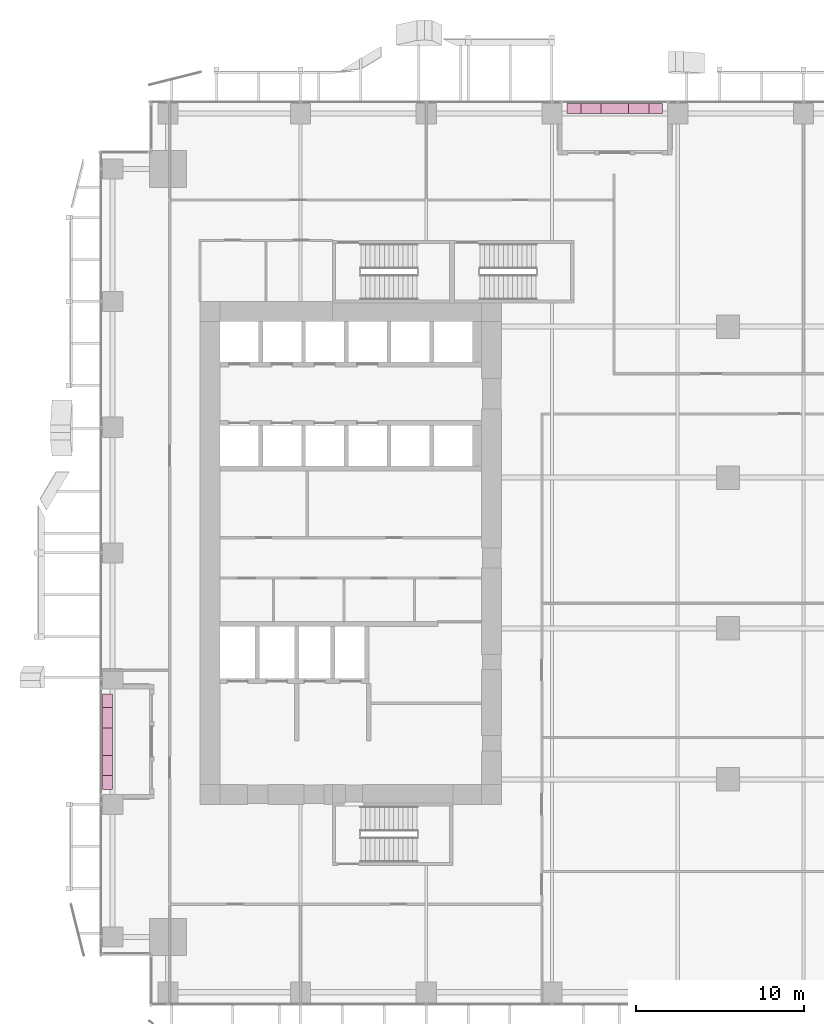
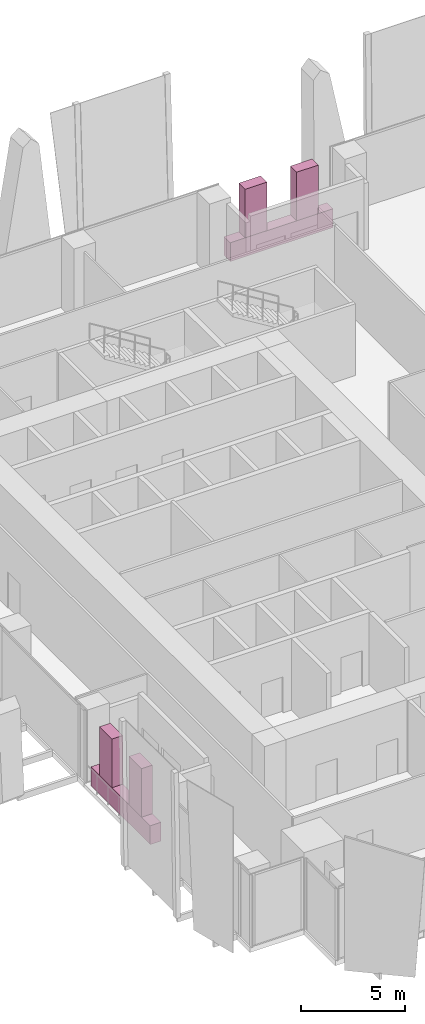
# One storey, part 35 of 35: 6 furnishings.
"""IFC4 building model written with IfcOpenShell, lengths in metres."""

from ifc_helpers import new_model, si_unit, direction, frame, origin, origin_2d, place, context, subcontext, project, spatial, rectangle, extrude, source, transform, mapped, material, type_object, element, save


model = new_model("IFC4")

# Units and contexts
model_context = context("Model", 3, precision=1e-05, world=origin(), true_north=direction((0.0, 1.0)))
body_context = subcontext(model_context, "Body", "Model", "MODEL_VIEW")
ifc_project = project(units=[si_unit("LENGTHUNIT", "METRE"), si_unit("AREAUNIT", "SQUARE_METRE"), si_unit("VOLUMEUNIT", "CUBIC_METRE"), si_unit("PLANEANGLEUNIT", "RADIAN"), si_unit("MASSUNIT", "GRAM", prefix="KILO")], contexts=[model_context])

# Site, building, storey
site_placement = place(None, origin())
site = spatial("IfcSite", under=ifc_project, at=site_placement, CompositionType="ELEMENT")
building_placement = place(site_placement, origin())
building = spatial("IfcBuilding", under=site, at=building_placement, Name="Khomas Fold Tower", CompositionType="ELEMENT")
storey_placement = place(building_placement, frame((0.0, 0.0, 87.0)))
storey = spatial("IfcBuildingStorey", under=building, at=storey_placement, Name="L18", CompositionType="ELEMENT", Elevation=87.0)

# Furnishings
ifc_material_1 = material(Name="Precast concrete C40/50", Category="concrete")
furnishing_element_type_1 = type_object("IfcFurnishingElementType", Name="BL-Structural planter box", material=ifc_material_1)
shared_shape_1 = source(origin(), body_context, "Body", "SweptSolid", [
    extrude(rectangle(XDim=5.699951171875, YDim=0.60009765625, at=origin_2d()), origin(), (0.0, 0.0, 1.0), 1.10009765625),
])
for number, where, z_axis, x_axis, name in (
    (1, (0.5, 15.75, -0.045166015625), (0.0, 0.0, 1.0), (0.0, 1.0, 0.0), "PLANTER BAL-L18-W1"),
    (2, (30.75, 53.5, -0.045166015625), (0.0, 0.0, 1.0), (1.0, 0.0, 0.0), "PLANTER BAL-L18-N3"),
):
    element("IfcFurnishingElement", number, at=place(storey_placement, frame(where, z_axis=z_axis, x_axis=x_axis)), inside=storey, type_object=furnishing_element_type_1, Name=name, context=body_context, shape_type="MappedRepresentation", body=[
        mapped(shared_shape_1, transform((0.0, 0.0, 0.0))),
    ])
ifc_material_2 = material(Name="Planting")
furnishing_element_type_2 = type_object("IfcFurnishingElementType", Name="BL-Tree Karee", material=ifc_material_2)
shared_shape_2 = source(origin(), body_context, "Body", "SweptSolid", [
    extrude(rectangle(XDim=1.199951171875, YDim=0.60009765625, at=origin_2d()), origin(), (0.0, 0.0, 1.0), 2.844970703125),
])
furnishing_1_placement = place(storey_placement, frame((0.5, 14.324951171875, 1.05517578125), z_axis=(0.0, 0.0, 1.0), x_axis=(0.0, 1.0, 0.0)))
element("IfcFurnishingElement", 3, at=furnishing_1_placement, inside=storey, type_object=furnishing_element_type_2, Name="PLANTER (TREE) Karee BAL-L18-W1-1", context=body_context, shape_type="MappedRepresentation", body=[
    mapped(shared_shape_2, transform((0.0, 0.0, 0.0))),
])
ifc_material_3 = material(Name="Planting")
furnishing_element_type_3 = type_object("IfcFurnishingElementType", Name="BL-Tree Wild olive", material=ifc_material_3)
for number, where, z_axis, x_axis, name in (
    (4, (0.5, 17.175048828125, 1.05517578125), (0.0, 0.0, 1.0), (0.0, 1.0, 0.0), "PLANTER (TREE) Wild olive BAL-L18-W1-2"),
    (5, (29.324951171875, 53.5, 1.05517578125), (0.0, 0.0, 1.0), (1.0, 0.0, 0.0), "PLANTER (TREE) Wild olive BAL-L18-N3-1"),
):
    element("IfcFurnishingElement", number, at=place(storey_placement, frame(where, z_axis=z_axis, x_axis=x_axis)), inside=storey, type_object=furnishing_element_type_3, Name=name, context=body_context, shape_type="MappedRepresentation", body=[
        mapped(shared_shape_2, transform((0.0, 0.0, 0.0))),
    ])
ifc_material_4 = material(Name="Planting")
furnishing_element_type_4 = type_object("IfcFurnishingElementType", Name="BL-Tree Shepherd's tree", material=ifc_material_4)
furnishing_2_placement = place(storey_placement, frame((32.175048828125, 53.5, 1.05517578125), z_axis=(0.0, 0.0, 1.0), x_axis=(1.0, 0.0, 0.0)))
element("IfcFurnishingElement", 6, at=furnishing_2_placement, inside=storey, type_object=furnishing_element_type_4, Name="PLANTER (TREE) Shepherd's tree BAL-L18-N3-2", context=body_context, shape_type="MappedRepresentation", body=[
    mapped(shared_shape_2, transform((0.0, 0.0, 0.0))),
])

save(model, "model.ifc")
